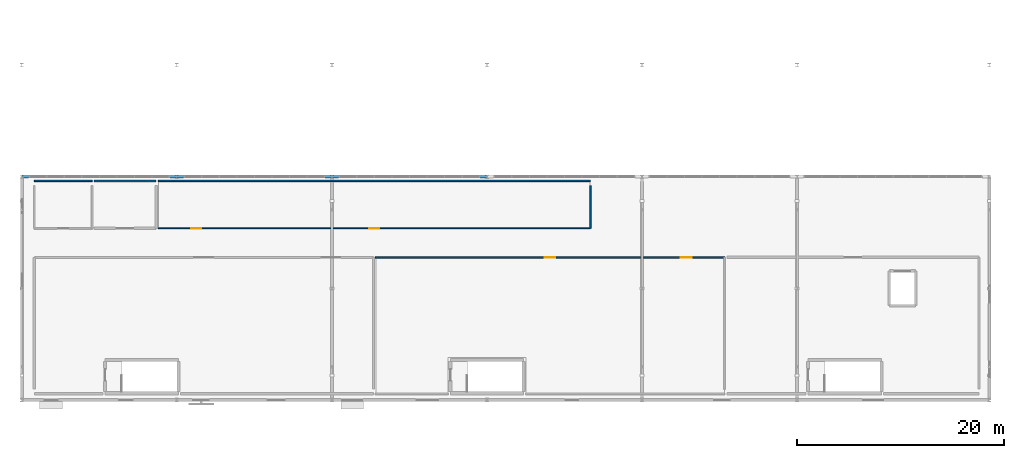
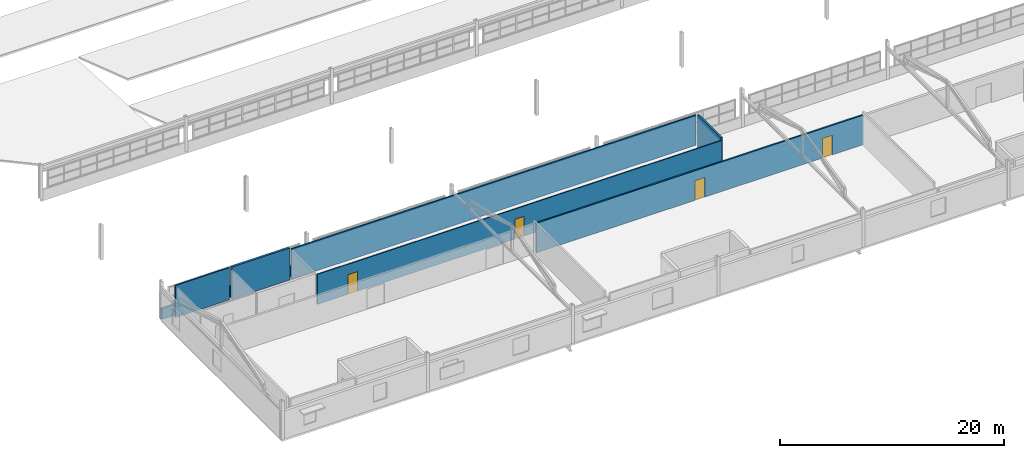
# One storey, part 70 of 90: 7 walls, 4 doors, 4 openings.
"""IFC4 building model written with IfcOpenShell, lengths in metres."""

from ifc_helpers import new_model, si_unit, direction, frame, frame_2d, origin, place, context, subcontext, project, spatial, rectangle, extrude, material, layer, layer_set, type_object, element, fill, save


model = new_model("IFC4")

# Units and contexts
model_context = context("Model", 3, precision=1e-05, world=origin(), true_north=direction((0.0, 1.0)))
body_context = subcontext(model_context, "Body", "Model", "MODEL_VIEW")
ifc_project = project(units=[si_unit("LENGTHUNIT", "METRE"), si_unit("AREAUNIT", "SQUARE_METRE"), si_unit("VOLUMEUNIT", "CUBIC_METRE"), si_unit("PLANEANGLEUNIT", "RADIAN"), si_unit("MASSUNIT", "GRAM", prefix="KILO")], contexts=[model_context])

# Site, building, storey
site_placement = place(None, origin())
site = spatial("IfcSite", under=ifc_project, at=site_placement, CompositionType="ELEMENT")
building_placement = place(site_placement, origin())
building = spatial("IfcBuilding", under=site, at=building_placement, Name="Solanera Park Tramway Depot", CompositionType="ELEMENT")
storey_placement = place(building_placement, frame((0.0, 0.0, 9.0)))
storey = spatial("IfcBuildingStorey", under=building, at=storey_placement, Name="L02", CompositionType="ELEMENT", Elevation=9.0)

# Wall, openings, doors
ifc_material_1 = material(Name="Concrete N32 (C32/40)", Category="concrete")
ifc_layer_1 = layer(ifc_material_1, 0.14990234375)
ifc_layer_set_1 = layer_set([ifc_layer_1], Name="Concrete N32 (C32/40)")
wall_type_1 = type_object("IfcWallType", Name="Acoustic Partition 150", PredefinedType="PARTITIONING", material=ifc_layer_set_1)
wall_1_placement = place(storey_placement, frame((34.199951171875, 24.60009765625, 0.0), z_axis=(0.0, 0.0, 1.0), x_axis=(1.0, 0.0, 0.0)))
wall_1 = element("IfcWall", 1, at=wall_1_placement, inside=storey, type_object=wall_type_1, Name="Overhead Catenary Rigging Training Studio Corridor Wall", PredefinedType="PARTITIONING", context=body_context, shape_type="SweptSolid", body=[
    extrude(rectangle(XDim=33.800048828125, YDim=0.14990234375, at=frame_2d((16.89990234375, 0.0))), origin(), (0.0, 0.0, 1.0), 3.2353515625),
])
opening_1_placement = place(wall_1_placement, frame((16.3798828125, 0.0, 0.0)))
opening_1 = element("IfcOpeningElement", 2, at=opening_1_placement, cuts=wall_1, Name="Opening ID-T1L", PredefinedType="OPENING", context=body_context, shape_type="SweptSolid", body=[
    extrude(rectangle(XDim=1.0400390625, YDim=2.14990234375, at=frame_2d((0.52001953125, 1.074951171875))), frame((0.0, 0.0849609375, 0.0), z_axis=(0.0, -1.0, 0.0), x_axis=(1.0, 0.0, 0.0)), (0.0, 0.0, 1.0), 0.169921875),
])
opening_2_placement = place(wall_1_placement, frame((29.56005859375, 0.0, 0.0)))
opening_2 = element("IfcOpeningElement", 3, at=opening_2_placement, cuts=wall_1, Name="Opening ID-T1L", PredefinedType="OPENING", context=body_context, shape_type="SweptSolid", body=[
    extrude(rectangle(XDim=1.0400390625, YDim=2.14990234375, at=frame_2d((0.52001953125, 1.074951171875))), frame((0.0, 0.0849609375, 0.0), z_axis=(0.0, -1.0, 0.0), x_axis=(1.0, 0.0, 0.0)), (0.0, 0.0, 1.0), 0.169921875),
])
ifc_material_2 = material(Name="Fire-rated steel or solid-core hardwood door leaf", Category="steel")
door_type_1 = type_object("IfcDoorType", Name="Training Room Door L 1040x2150", OperationType="SINGLE_SWING_LEFT", PredefinedType="DOOR", material=ifc_material_2)
door_1_placement = place(opening_1_placement, origin())
door_1 = element("IfcDoor", 4, at=door_1_placement, inside=storey, type_object=door_type_1, Name="Overhead Catenary Rigging Training Studio Door", OperationType="SINGLE_SWING_LEFT", OverallHeight=2.14990234375, OverallWidth=1.0400390625, PredefinedType="DOOR", context=body_context, shape_type="SweptSolid", body=[
    extrude(rectangle(XDim=1.0400390625, YDim=2.14990234375, at=frame_2d((0.52001953125, 1.074951171875))), frame((0.0, 0.02490234375, 0.0), z_axis=(0.0, -1.0, 0.0), x_axis=(1.0, 0.0, 0.0)), (0.0, 0.0, 1.0), 0.050048828125),
])
fill(opening_1, door_1)
door_2_placement = place(opening_2_placement, origin())
door_2 = element("IfcDoor", 5, at=door_2_placement, inside=storey, type_object=door_type_1, Name="Overhead Catenary Rigging Training Studio Secondary Exit Door", OperationType="SINGLE_SWING_LEFT", OverallHeight=2.14990234375, OverallWidth=1.0400390625, PredefinedType="DOOR", context=body_context, shape_type="SweptSolid", body=[
    extrude(rectangle(XDim=1.0400390625, YDim=2.14990234375, at=frame_2d((0.52001953125, 1.074951171875))), frame((0.0, 0.02490234375, 0.0), z_axis=(0.0, -1.0, 0.0), x_axis=(1.0, 0.0, 0.0)), (0.0, 0.0, 1.0), 0.050048828125),
])
fill(opening_2, door_2)

# Walls
wall_2_placement = place(storey_placement, frame((13.199951171875, 32.0, 0.0), z_axis=(0.0, 0.0, 1.0), x_axis=(1.0, 0.0, 0.0)))
element("IfcWall", 6, at=wall_2_placement, inside=storey, type_object=wall_type_1, Name="Chief Mechanical Engineer Suite Dividing Wall", PredefinedType="PARTITIONING", context=body_context, shape_type="SweptSolid", body=[
    extrude(rectangle(XDim=41.800048828125, YDim=0.14990234375, at=frame_2d((20.89990234375, 0.0))), origin(), (0.0, 0.0, 1.0), 3.287109375),
])
wall_3_placement = place(storey_placement, frame((55.0, 27.39990234375, 0.0), z_axis=(0.0, 0.0, 1.0), x_axis=(0.0, 1.0, 0.0)))
element("IfcWall", 7, at=wall_3_placement, inside=storey, type_object=wall_type_1, Name="Chief Mechanical Engineer Suite Dividing Wall", PredefinedType="PARTITIONING", context=body_context, shape_type="SweptSolid", body=[
    extrude(rectangle(XDim=4.150146484375, YDim=0.14990234375, at=frame_2d((2.0751953125, 0.0))), origin(), (0.0, 0.0, 1.0), 3.60009765625),
])
ifc_material_3 = material(Name="Concrete N32 (C32/40)", Category="concrete")
ifc_layer_2 = layer(ifc_material_3, 0.199951171875)
ifc_layer_set_2 = layer_set([ifc_layer_2], Name="Concrete N32 (C32/40)")
wall_type_2 = type_object("IfcWallType", Name="Fire Compartment Wall 200", PredefinedType="SOLIDWALL", material=ifc_layer_set_2)
wall_4_placement = place(storey_placement, frame((7.0, 32.0, 0.0), z_axis=(0.0, 0.0, 1.0), x_axis=(1.0, 0.0, 0.0)))
element("IfcWall", 8, at=wall_4_placement, inside=storey, type_object=wall_type_2, Name="L02 Workshop Housekeeping Store Dividing Wall", PredefinedType="SOLIDWALL", context=body_context, shape_type="SweptSolid", body=[
    extrude(rectangle(XDim=6.0, YDim=0.199951171875, at=frame_2d((3.0, 0.0))), origin(), (0.0, 0.0, 1.0), 3.5),
])
ifc_material_4 = material(Name="Concrete N32 (C32/40)", Category="concrete")
ifc_layer_3 = layer(ifc_material_4, 0.239990234375)
ifc_layer_set_3 = layer_set([ifc_layer_3], Name="Concrete N32 (C32/40)")
wall_type_3 = type_object("IfcWallType", Name="Roof Parapet Wall 240", PredefinedType="PARAPET", material=ifc_layer_set_3)
wall_5_placement = place(storey_placement, frame((0.0, 32.39990234375, 0.0), z_axis=(0.0, 0.0, 1.0), x_axis=(1.0, 0.0, 0.0)))
element("IfcWall", 9, at=wall_5_placement, inside=storey, type_object=wall_type_3, Name="Roof Parapet Wall #03", PredefinedType="PARAPET", context=body_context, shape_type="SweptSolid", body=[
    extrude(rectangle(XDim=45.0, YDim=0.239990234375, at=frame_2d((22.5, 0.0))), origin(), (0.0, 0.0, 1.0), 1.14990234375),
])
ifc_material_5 = material(Name="Concrete N32 (C32/40)", Category="concrete")
ifc_layer_4 = layer(ifc_material_5, 0.139892578125)
ifc_layer_set_4 = layer_set([ifc_layer_4], Name="Concrete N32 (C32/40)")
wall_type_4 = type_object("IfcWallType", Name="Wet Area Partition 140", PredefinedType="PARTITIONING", material=ifc_layer_set_4)
wall_6_placement = place(storey_placement, frame((1.199951171875, 32.0, 0.0), z_axis=(0.0, 0.0, 1.0), x_axis=(1.0, 0.0, 0.0)))
element("IfcWall", 10, at=wall_6_placement, inside=storey, type_object=wall_type_4, Name="L02 Workshop Gallery Accessible WC Dividing Wall", PredefinedType="PARTITIONING", context=body_context, shape_type="SweptSolid", body=[
    extrude(rectangle(XDim=5.60009765625, YDim=0.139892578125, at=frame_2d((2.800048828125, 0.0))), origin(), (0.0, 0.0, 1.0), 3.5),
])

# Wall, openings, doors
ifc_material_6 = material(Name="Concrete N32 (C32/40)", Category="concrete")
ifc_layer_5 = layer(ifc_material_6, 0.110107421875)
ifc_layer_set_5 = layer_set([ifc_layer_5], Name="Concrete N32 (C32/40)")
wall_type_5 = type_object("IfcWallType", Name="Workshop Glazed Screen 110", PredefinedType="PARTITIONING", material=ifc_layer_set_5)
wall_7_placement = place(storey_placement, frame((55.0, 27.39990234375, 0.0), z_axis=(0.0, 0.0, 1.0), x_axis=(-1.0, 0.0, 0.0)))
wall_7 = element("IfcWall", 11, at=wall_7_placement, inside=storey, type_object=wall_type_5, Name="Chief Mechanical Engineer Suite Corridor Wall", PredefinedType="PARTITIONING", context=body_context, shape_type="SweptSolid", body=[
    extrude(rectangle(XDim=41.800048828125, YDim=0.110107421875, at=frame_2d((20.89990234375, 0.0))), origin(), (0.0, 0.0, 1.0), 3.287109375),
])
opening_3_placement = place(wall_7_placement, frame((20.4150390625, 0.0, 0.0)))
opening_3 = element("IfcOpeningElement", 12, at=opening_3_placement, cuts=wall_7, Name="Opening ID-O1R", PredefinedType="OPENING", context=body_context, shape_type="SweptSolid", body=[
    extrude(rectangle(XDim=0.969970703125, YDim=2.14990234375, at=frame_2d((0.48486328125, 1.074951171875))), frame((0.0, 0.06494140625, 0.0), z_axis=(0.0, -1.0, 0.0), x_axis=(1.0, 0.0, 0.0)), (0.0, 0.0, 1.0), 0.130126953125),
])
opening_4_placement = place(wall_7_placement, frame((37.6298828125, 0.0, 0.0)))
opening_4 = element("IfcOpeningElement", 13, at=opening_4_placement, cuts=wall_7, Name="Opening ID-O1R", PredefinedType="OPENING", context=body_context, shape_type="SweptSolid", body=[
    extrude(rectangle(XDim=0.969970703125, YDim=2.14990234375, at=frame_2d((0.48486328125, 1.074951171875))), frame((0.0, 0.06494140625, 0.0), z_axis=(0.0, -1.0, 0.0), x_axis=(1.0, 0.0, 0.0)), (0.0, 0.0, 1.0), 0.130126953125),
])
ifc_material_7 = material(Name="Fire-rated steel or solid-core hardwood door leaf", Category="steel")
door_type_2 = type_object("IfcDoorType", Name="Office Single Door R 970x2150", OperationType="SINGLE_SWING_RIGHT", PredefinedType="DOOR", material=ifc_material_7)
door_3_placement = place(opening_3_placement, origin())
door_3 = element("IfcDoor", 14, at=door_3_placement, inside=storey, type_object=door_type_2, Name="Chief Mechanical Engineer Suite Door", OperationType="SINGLE_SWING_RIGHT", OverallHeight=2.14990234375, OverallWidth=0.969970703125, PredefinedType="DOOR", context=body_context, shape_type="SweptSolid", body=[
    extrude(rectangle(XDim=0.969970703125, YDim=2.14990234375, at=frame_2d((0.48486328125, 1.074951171875))), frame((0.0, 0.02490234375, 0.0), z_axis=(0.0, -1.0, 0.0), x_axis=(1.0, 0.0, 0.0)), (0.0, 0.0, 1.0), 0.050048828125),
])
fill(opening_3, door_3)
door_4_placement = place(opening_4_placement, origin())
door_4 = element("IfcDoor", 15, at=door_4_placement, inside=storey, type_object=door_type_2, Name="Chief Mechanical Engineer Suite Secondary Exit Door", OperationType="SINGLE_SWING_RIGHT", OverallHeight=2.14990234375, OverallWidth=0.969970703125, PredefinedType="DOOR", context=body_context, shape_type="SweptSolid", body=[
    extrude(rectangle(XDim=0.969970703125, YDim=2.14990234375, at=frame_2d((0.48486328125, 1.074951171875))), frame((0.0, 0.02490234375, 0.0), z_axis=(0.0, -1.0, 0.0), x_axis=(1.0, 0.0, 0.0)), (0.0, 0.0, 1.0), 0.050048828125),
])
fill(opening_4, door_4)

save(model, "model.ifc")
